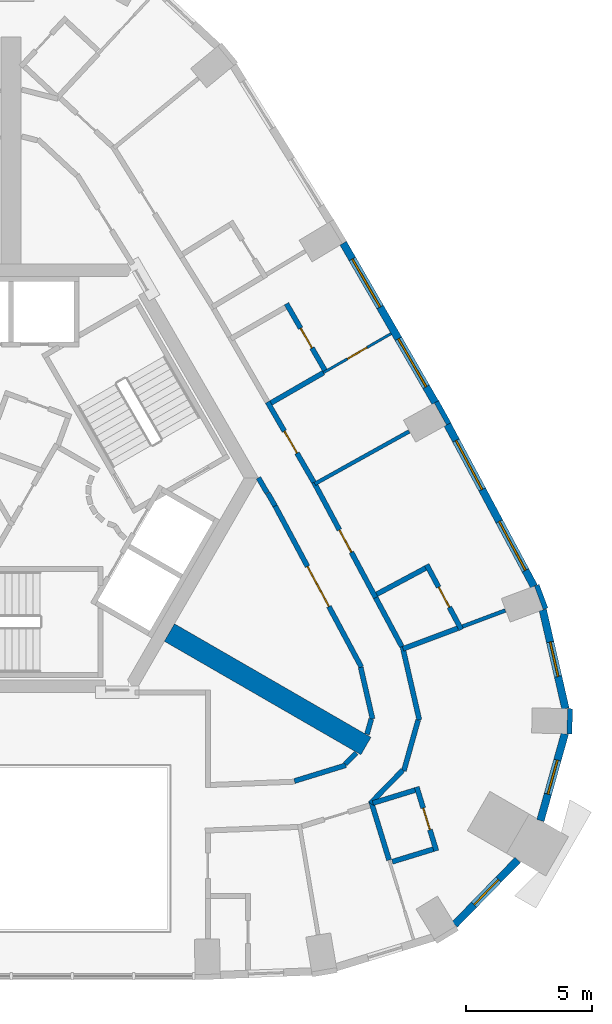
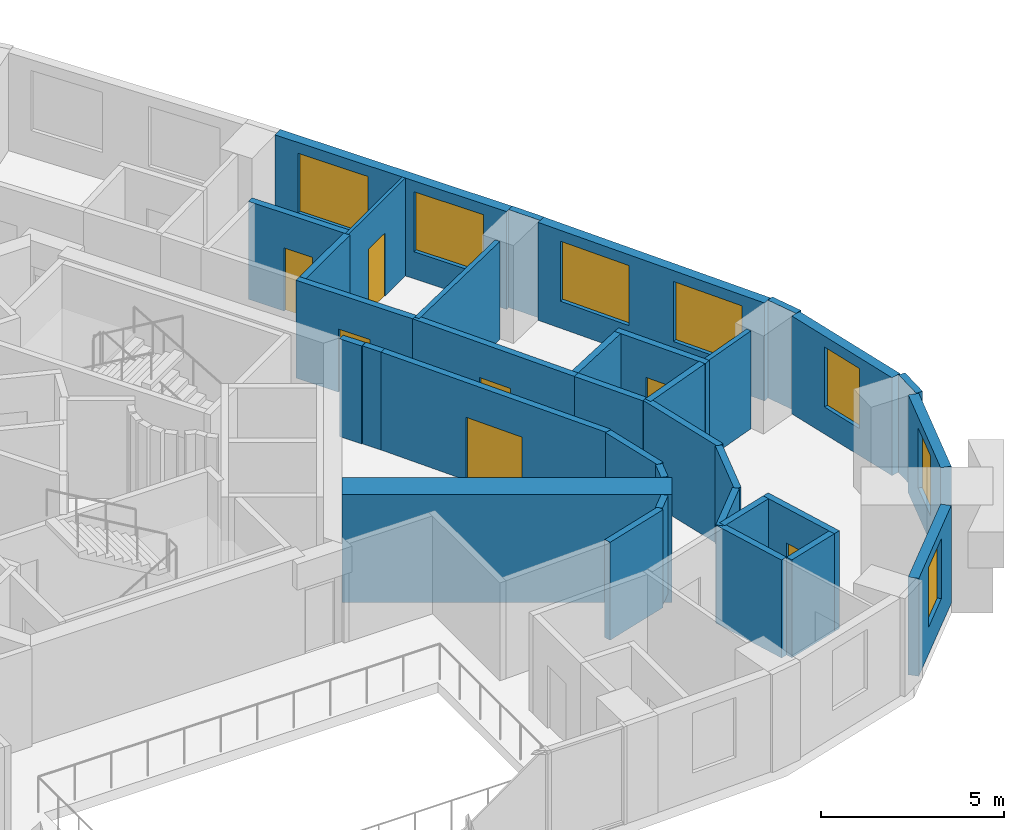
# One storey, part 6 of 10: 34 walls, 7 doors, 7 windows, 14 openings.
"""IFC4 building model written with IfcOpenShell, lengths in metres."""

from ifc_helpers import new_model, si_unit, direction, frame, frame_2d, origin, place, context, subcontext, project, spatial, rectangle, extrude, material, layer, layer_set, type_object, element, fill, save


model = new_model("IFC4")

# Units and contexts
model_context = context("Model", 3, precision=1e-05, world=origin(), true_north=direction((0.0, 1.0)))
body_context = subcontext(model_context, "Body", "Model", "MODEL_VIEW")
ifc_project = project(units=[si_unit("LENGTHUNIT", "METRE"), si_unit("AREAUNIT", "SQUARE_METRE"), si_unit("VOLUMEUNIT", "CUBIC_METRE"), si_unit("PLANEANGLEUNIT", "RADIAN"), si_unit("MASSUNIT", "GRAM", prefix="KILO")], contexts=[model_context])

# Site, building, storey
site_placement = place(None, origin())
site = spatial("IfcSite", under=ifc_project, at=site_placement, CompositionType="ELEMENT")
building_placement = place(site_placement, origin())
building = spatial("IfcBuilding", under=site, at=building_placement, Name="Entoto Arch Interchange Tower", CompositionType="ELEMENT")
storey_placement = place(building_placement, frame((0.0, 0.0, 293.60009765625)))
storey = spatial("IfcBuildingStorey", under=building, at=storey_placement, Name="L68", CompositionType="ELEMENT", Elevation=293.60009765625)

# Wall
ifc_material_1 = material(Name="Concrete C40/50", Category="concrete")
ifc_layer_1 = layer(ifc_material_1, 0.800048828125)
ifc_layer_set_1 = layer_set([ifc_layer_1], Name="Concrete C40/50")
wall_type_1 = type_object("IfcWallType", Name="Buttress wall 800 C40/50", PredefinedType="SHEAR", material=ifc_layer_set_1)
wall_1_placement = place(storey_placement, frame((6.279052734375, -3.625, -0.340087890625), z_axis=(0.0, 0.0, 1.0), x_axis=(0.866017533419, -0.500013631625, 0.0)))
element("IfcWall", 1, at=wall_1_placement, inside=storey, type_object=wall_type_1, Name="Buttress wall SE L68", PredefinedType="SHEAR", context=body_context, shape_type="SweptSolid", body=[
    extrude(rectangle(XDim=8.999755859375, YDim=0.800048828125, at=frame_2d((4.5, 0.0))), origin(), (0.0, 0.0, 1.0), 3.60009765625),
])

# Wall, opening, door
ifc_material_2 = material(Name="Gypsum board partition on steel studs", Category="steel")
ifc_layer_2 = layer(ifc_material_2, 0.10009765625)
ifc_layer_set_2 = layer_set([ifc_layer_2], Name="Gypsum board partition on steel studs")
wall_type_2 = type_object("IfcWallType", Name="PARTITION 100", PredefinedType="PARTITIONING", material=ifc_layer_set_2)
wall_2_placement = place(storey_placement, frame((12.385009765625, 6.681884765625, 0.0), z_axis=(0.0, 0.0, 1.0), x_axis=(0.865970446821, 0.500095176175, 0.0)))
wall_2 = element("IfcWall", 2, at=wall_2_placement, inside=storey, type_object=wall_type_2, Name="wall:L68:p098", PredefinedType="PARTITIONING", context=body_context, shape_type="SweptSolid", body=[
    extrude(rectangle(XDim=3.099609375, YDim=0.10009765625, at=frame_2d((1.5498046875, 0.0))), origin(), (0.0, 0.0, 1.0), 3.260009765625),
])
opening_1_placement = place(wall_2_placement, frame((1.10009765625, 0.0, 0.0)))
opening_1 = element("IfcOpeningElement", 3, at=opening_1_placement, cuts=wall_2, Name="Opening L68-D09", PredefinedType="OPENING", context=body_context, shape_type="SweptSolid", body=[
    extrude(rectangle(XDim=0.89990234375, YDim=2.10009765625, at=frame_2d((0.449951171875, 1.050048828125))), frame((0.0, 0.06005859375, 0.0), z_axis=(0.0, -1.0, 0.0), x_axis=(1.0, 0.0, 0.0)), (0.0, 0.0, 1.0), 0.1201171875),
])
ifc_material_3 = material(Name="Timber door leaf in Steel S235 frame", Category="steel")
door_type_1 = type_object("IfcDoorType", Name="DOOR DS-09 900x2100", OperationType="SINGLE_SWING_LEFT", PredefinedType="DOOR", material=ifc_material_3)
door_1_placement = place(opening_1_placement, origin())
door_1 = element("IfcDoor", 4, at=door_1_placement, inside=storey, type_object=door_type_1, Name="door:L68:09", OperationType="SINGLE_SWING_RIGHT", OverallHeight=2.10009765625, OverallWidth=0.89990234375, PredefinedType="DOOR", context=body_context, shape_type="SweptSolid", body=[
    extrude(rectangle(XDim=0.89990234375, YDim=2.10009765625, at=frame_2d((0.449951171875, 1.050048828125))), frame((0.0, 0.02490234375, 0.0), z_axis=(0.0, -1.0, 0.0), x_axis=(1.0, 0.0, 0.0)), (0.0, 0.0, 1.0), 0.050048828125),
])
fill(opening_1, door_1)

# Walls
ifc_layer_3 = layer(ifc_material_2, 0.14990234375)
ifc_layer_set_3 = layer_set([ifc_layer_3], Name="Gypsum board partition on steel studs")
wall_type_3 = type_object("IfcWallType", Name="PARTITION 150", PredefinedType="PARTITIONING", material=ifc_layer_set_3)
wall_3_placement = place(storey_placement, frame((17.904052734375, -3.385009765625, 0.0), z_axis=(0.0, 0.0, 1.0), x_axis=(0.936401128709, 0.350931512054, 0.0)))
element("IfcWall", 5, at=wall_3_placement, inside=storey, type_object=wall_type_3, Name="wall:L68:p093", PredefinedType="PARTITIONING", context=body_context, shape_type="SweptSolid", body=[
    extrude(rectangle(XDim=1.812255859375, YDim=0.14990234375, at=frame_2d((0.90625, 0.0))), origin(), (0.0, 0.0, 1.0), 3.260009765625),
])
wall_4_placement = place(storey_placement, frame((12.044921875, 2.27197265625, 0.0), z_axis=(0.0, 0.0, 1.0), x_axis=(0.873982340973, 0.485957680943, 0.0)))
element("IfcWall", 6, at=wall_4_placement, inside=storey, type_object=wall_type_3, Name="wall:L68:p097", PredefinedType="PARTITIONING", context=body_context, shape_type="SweptSolid", body=[
    extrude(rectangle(XDim=4.2802734375, YDim=0.14990234375, at=frame_2d((2.14013671875, 0.0))), origin(), (0.0, 0.0, 1.0), 3.260009765625),
])
ifc_layer_4 = layer(ifc_material_2, 0.199951171875)
ifc_layer_set_4 = layer_set([ifc_layer_4], Name="Gypsum board partition on steel studs")
wall_type_4 = type_object("IfcWallType", Name="PARTITION 200", PredefinedType="PARTITIONING", material=ifc_layer_set_4)
wall_5_placement = place(storey_placement, frame((11.239013671875, -9.513916015625, 0.0), z_axis=(0.0, 0.0, 1.0), x_axis=(0.955838469047, 0.293892533234, 0.0)))
element("IfcWall", 7, at=wall_5_placement, inside=storey, type_object=wall_type_4, Name="wall:L68:p014", PredefinedType="PARTITIONING", context=body_context, shape_type="SweptSolid", body=[
    extrude(rectangle(XDim=2.1298828125, YDim=0.199951171875, at=frame_2d((1.06494140625, 0.0))), origin(), (0.0, 0.0, 1.0), 3.260009765625),
])
wall_6_placement = place(storey_placement, frame((13.25, -8.845947265625, 0.0), z_axis=(0.0, 0.0, 1.0), x_axis=(0.698333537371, 0.715772499181, 0.0)))
element("IfcWall", 8, at=wall_6_placement, inside=storey, type_object=wall_type_4, Name="wall:L68:p015", PredefinedType="PARTITIONING", context=body_context, shape_type="SweptSolid", body=[
    extrude(rectangle(XDim=0.6298828125, YDim=0.199951171875, at=frame_2d((0.31494140625, 0.0))), origin(), (0.0, 0.0, 1.0), 3.260009765625),
])
wall_7_placement = place(storey_placement, frame((14.114990234375, -7.658935546875, 0.0), z_axis=(0.0, 0.0, 1.0), x_axis=(0.270633612894, 0.96268242301, 0.0)))
element("IfcWall", 9, at=wall_7_placement, inside=storey, type_object=wall_type_4, Name="wall:L68:p016", PredefinedType="PARTITIONING", context=body_context, shape_type="SweptSolid", body=[
    extrude(rectangle(XDim=0.631591796875, YDim=0.199951171875, at=frame_2d((0.31591796875, 0.0))), origin(), (0.0, 0.0, 1.0), 3.260009765625),
])
wall_8_placement = place(storey_placement, frame((14.3349609375, -7.052001953125, 0.0), z_axis=(0.0, 0.0, 1.0), x_axis=(-0.22355315143, 0.974691740237, 0.0)))
element("IfcWall", 10, at=wall_8_placement, inside=storey, type_object=wall_type_4, Name="wall:L68:p017", PredefinedType="PARTITIONING", context=body_context, shape_type="SweptSolid", body=[
    extrude(rectangle(XDim=2.102294921875, YDim=0.199951171875, at=frame_2d((1.05126953125, 0.0))), origin(), (0.0, 0.0, 1.0), 3.260009765625),
])

# Wall, opening, door
wall_9_placement = place(storey_placement, frame((13.889892578125, -4.993896484375, 0.0), z_axis=(0.0, 0.0, 1.0), x_axis=(-0.471713767504, 0.881751734644, 0.0)))
wall_9 = element("IfcWall", 11, at=wall_9_placement, inside=storey, type_object=wall_type_4, Name="wall:L68:p018", PredefinedType="PARTITIONING", context=body_context, shape_type="SweptSolid", body=[
    extrude(rectangle(XDim=7.247802734375, YDim=0.199951171875, at=frame_2d((3.6240234375, 0.0))), origin(), (0.0, 0.0, 1.0), 3.260009765625),
])
opening_2_placement = place(wall_9_placement, frame((2.72412109375, 0.0, 0.0)))
opening_2 = element("IfcOpeningElement", 12, at=opening_2_placement, cuts=wall_9, Name="Opening L68-D28", PredefinedType="OPENING", context=body_context, shape_type="SweptSolid", body=[
    extrude(rectangle(XDim=1.800048828125, YDim=2.10009765625, at=frame_2d((0.89990234375, 1.050048828125))), frame((0.0, 0.10986328125, 0.0), z_axis=(0.0, -1.0, 0.0), x_axis=(1.0, 0.0, 0.0)), (0.0, 0.0, 1.0), 0.219970703125),
])
door_type_2 = type_object("IfcDoorType", Name="DOOR DD-18 1800x2100", OperationType="DOUBLE_DOOR_SINGLE_SWING", PredefinedType="DOOR", material=ifc_material_3)
door_2_placement = place(opening_2_placement, origin())
door_2 = element("IfcDoor", 13, at=door_2_placement, inside=storey, type_object=door_type_2, Name="door:L68:28", OperationType="DOUBLE_DOOR_SINGLE_SWING", OverallHeight=2.10009765625, OverallWidth=1.800048828125, PredefinedType="DOOR", context=body_context, shape_type="SweptSolid", body=[
    extrude(rectangle(XDim=1.800048828125, YDim=2.10009765625, at=frame_2d((0.89990234375, 1.050048828125))), frame((0.0, 0.02490234375, 0.0), z_axis=(0.0, -1.0, 0.0), x_axis=(1.0, 0.0, 0.0)), (0.0, 0.0, 1.0), 0.050048828125),
])
fill(opening_2, door_2)

# Walls
wall_10_placement = place(storey_placement, frame((10.470947265625, 1.39697265625, 0.0), z_axis=(0.0, 0.0, 1.0), x_axis=(-0.500069990121, 0.865984991198, 0.0)))
element("IfcWall", 14, at=wall_10_placement, inside=storey, type_object=wall_type_4, Name="wall:L68:p019", PredefinedType="PARTITIONING", context=body_context, shape_type="SweptSolid", body=[
    extrude(rectangle(XDim=0.587890625, YDim=0.199951171875, at=frame_2d((0.2939453125, 0.0))), origin(), (0.0, 0.0, 1.0), 3.260009765625),
])
wall_11_placement = place(storey_placement, frame((10.156982421875, 1.912109375, 0.0), z_axis=(0.0, 0.0, 1.0), x_axis=(-0.500482383858, 0.865746720148, 0.0)))
element("IfcWall", 15, at=wall_11_placement, inside=storey, type_object=wall_type_4, Name="wall:L68:p020", PredefinedType="PARTITIONING", context=body_context, shape_type="SweptSolid", body=[
    extrude(rectangle(XDim=0.695068359375, YDim=0.199951171875, at=frame_2d((0.34765625, 0.0))), origin(), (0.0, 0.0, 1.0), 3.260009765625),
])
wall_12_placement = place(storey_placement, frame((15.52099609375, -4.1708984375, 0.0), z_axis=(0.0, 0.0, 1.0), x_axis=(0.223416387785, -0.974723097946, 0.0)))
element("IfcWall", 16, at=wall_12_placement, inside=storey, type_object=wall_type_4, Name="wall:L68:p032", PredefinedType="PARTITIONING", context=body_context, shape_type="SweptSolid", body=[
    extrude(rectangle(XDim=3.0029296875, YDim=0.199951171875, at=frame_2d((1.50146484375, 0.0))), origin(), (0.0, 0.0, 1.0), 3.260009765625),
])
wall_13_placement = place(storey_placement, frame((16.14306640625, -7.095947265625, 0.0), z_axis=(0.0, 0.0, 1.0), x_axis=(-0.270688011946, -0.962667128445, 0.0)))
element("IfcWall", 17, at=wall_13_placement, inside=storey, type_object=wall_type_4, Name="wall:L68:p033", PredefinedType="PARTITIONING", context=body_context, shape_type="SweptSolid", body=[
    extrude(rectangle(XDim=2.087890625, YDim=0.199951171875, at=frame_2d((1.0439453125, 0.0))), origin(), (0.0, 0.0, 1.0), 3.260009765625),
])
wall_14_placement = place(storey_placement, frame((15.534912109375, -9.0810546875, 0.0), z_axis=(0.0, 0.0, 1.0), x_axis=(-0.698342132704, -0.715764113162, 0.0)))
element("IfcWall", 18, at=wall_14_placement, inside=storey, type_object=wall_type_4, Name="wall:L68:p034", PredefinedType="PARTITIONING", context=body_context, shape_type="SweptSolid", body=[
    extrude(rectangle(XDim=1.835693359375, YDim=0.199951171875, at=frame_2d((0.91796875, 0.0))), origin(), (0.0, 0.0, 1.0), 3.260009765625),
])

# Wall, opening, door
wall_15_placement = place(storey_placement, frame((12.009033203125, 2.337890625, 0.0), z_axis=(0.0, 0.0, 1.0), x_axis=(0.471771260231, -0.88172097515, 0.0)))
wall_15 = element("IfcWall", 19, at=wall_15_placement, inside=storey, type_object=wall_type_4, Name="wall:L68:p035", PredefinedType="PARTITIONING", context=body_context, shape_type="SweptSolid", body=[
    extrude(rectangle(XDim=5.193115234375, YDim=0.199951171875, at=frame_2d((2.5966796875, 0.0))), origin(), (0.0, 0.0, 1.0), 3.260009765625),
])
opening_3_placement = place(wall_15_placement, frame((2.14599609375, 0.0, 0.0)))
opening_3 = element("IfcOpeningElement", 20, at=opening_3_placement, cuts=wall_15, Name="Opening L68-D06", PredefinedType="OPENING", context=body_context, shape_type="SweptSolid", body=[
    extrude(rectangle(XDim=1.0, YDim=2.10009765625, at=frame_2d((0.5, 1.050048828125))), frame((0.0, 0.10986328125, 0.0), z_axis=(0.0, -1.0, 0.0), x_axis=(1.0, 0.0, 0.0)), (0.0, 0.0, 1.0), 0.219970703125),
])
ifc_material_4 = material(Name="Fire-rated Steel S235 door and frame", Category="steel")
door_type_3 = type_object("IfcDoorType", Name="DOOR FD-10 1000x2100", OperationType="SINGLE_SWING_LEFT", PredefinedType="DOOR", material=ifc_material_4)
door_3_placement = place(opening_3_placement, origin())
door_3 = element("IfcDoor", 21, at=door_3_placement, inside=storey, type_object=door_type_3, Name="door:L68:06", OperationType="SINGLE_SWING_LEFT", OverallHeight=2.10009765625, OverallWidth=1.0, PredefinedType="DOOR", context=body_context, shape_type="SweptSolid", body=[
    extrude(rectangle(XDim=1.0, YDim=2.10009765625, at=frame_2d((0.5, 1.050048828125))), frame((0.0, 0.02490234375, 0.0), z_axis=(0.0, -1.0, 0.0), x_axis=(1.0, 0.0, 0.0)), (0.0, 0.0, 1.0), 0.050048828125),
])
fill(opening_3, door_3)

# Wall
wall_16_placement = place(storey_placement, frame((14.458984375, -2.240966796875, 0.0), z_axis=(0.0, 0.0, 1.0), x_axis=(0.471648235011, -0.881786789656, 0.0)))
element("IfcWall", 22, at=wall_16_placement, inside=storey, type_object=wall_type_4, Name="wall:L68:p036", PredefinedType="PARTITIONING", context=body_context, shape_type="SweptSolid", body=[
    extrude(rectangle(XDim=2.198974609375, YDim=0.199951171875, at=frame_2d((1.099609375, 0.0))), origin(), (0.0, 0.0, 1.0), 3.260009765625),
])

# Wall, opening, door
wall_17_placement = place(storey_placement, frame((10.169921875, 5.51904296875, 0.0), z_axis=(0.0, 0.0, 1.0), x_axis=(0.499990860175, -0.866030680601, 0.0)))
wall_17 = element("IfcWall", 23, at=wall_17_placement, inside=storey, type_object=wall_type_4, Name="wall:L68:p037", PredefinedType="PARTITIONING", context=body_context, shape_type="SweptSolid", body=[
    extrude(rectangle(XDim=3.67431640625, YDim=0.199951171875, at=frame_2d((1.837158203125, 0.0))), origin(), (0.0, 0.0, 1.0), 3.260009765625),
])
opening_4_placement = place(wall_17_placement, frame((1.3369140625, 0.0, 0.0)))
opening_4 = element("IfcOpeningElement", 24, at=opening_4_placement, cuts=wall_17, Name="Opening L68-D08", PredefinedType="OPENING", context=body_context, shape_type="SweptSolid", body=[
    extrude(rectangle(XDim=1.0, YDim=2.10009765625, at=frame_2d((0.5, 1.050048828125))), frame((0.0, 0.10986328125, 0.0), z_axis=(0.0, -1.0, 0.0), x_axis=(1.0, 0.0, 0.0)), (0.0, 0.0, 1.0), 0.219970703125),
])
door_4_placement = place(opening_4_placement, origin())
door_4 = element("IfcDoor", 25, at=door_4_placement, inside=storey, type_object=door_type_3, Name="door:L68:08", OperationType="SINGLE_SWING_LEFT", OverallHeight=2.10009765625, OverallWidth=1.0, PredefinedType="DOOR", context=body_context, shape_type="SweptSolid", body=[
    extrude(rectangle(XDim=1.0, YDim=2.10009765625, at=frame_2d((0.5, 1.050048828125))), frame((0.0, 0.02490234375, 0.0), z_axis=(0.0, -1.0, 0.0), x_axis=(1.0, 0.0, 0.0)), (0.0, 0.0, 1.0), 0.050048828125),
])
fill(opening_4, door_4)

# Walls
wall_18_placement = place(storey_placement, frame((14.27197265625, -10.30810546875, 0.0), z_axis=(0.0, 0.0, 1.0), x_axis=(0.293868765171, -0.955845776711, 0.0)))
element("IfcWall", 26, at=wall_18_placement, inside=storey, type_object=wall_type_4, Name="wall:L68:p089", PredefinedType="PARTITIONING", context=body_context, shape_type="SweptSolid", body=[
    extrude(rectangle(XDim=2.449951171875, YDim=0.199951171875, at=frame_2d((1.22509765625, 0.0))), origin(), (0.0, 0.0, 1.0), 3.260009765625),
])
wall_19_placement = place(storey_placement, frame((15.116943359375, -12.716064453125, 0.0), z_axis=(0.0, 0.0, 1.0), x_axis=(0.955940341053, 0.293561006177, 0.0)))
element("IfcWall", 27, at=wall_19_placement, inside=storey, type_object=wall_type_4, Name="wall:L68:p090", PredefinedType="PARTITIONING", context=body_context, shape_type="SweptSolid", body=[
    extrude(rectangle(XDim=1.699951171875, YDim=0.199951171875, at=frame_2d((0.85009765625, 0.0))), origin(), (0.0, 0.0, 1.0), 3.260009765625),
])

# Wall, opening, door
wall_20_placement = place(storey_placement, frame((16.866943359375, -12.282958984375, 0.0), z_axis=(0.0, 0.0, 1.0), x_axis=(-0.29397579302, 0.955812865114, 0.0)))
wall_20 = element("IfcWall", 28, at=wall_20_placement, inside=storey, type_object=wall_type_4, Name="wall:L68:p091", PredefinedType="PARTITIONING", context=body_context, shape_type="SweptSolid", body=[
    extrude(rectangle(XDim=2.650146484375, YDim=0.199951171875, at=frame_2d((1.3251953125, 0.0))), origin(), (0.0, 0.0, 1.0), 3.260009765625),
])
opening_5_placement = place(wall_20_placement, frame((0.875, 0.0, 0.0)))
opening_5 = element("IfcOpeningElement", 29, at=opening_5_placement, cuts=wall_20, Name="Opening L68-D05", PredefinedType="OPENING", context=body_context, shape_type="SweptSolid", body=[
    extrude(rectangle(XDim=0.89990234375, YDim=2.10009765625, at=frame_2d((0.449951171875, 1.050048828125))), frame((0.0, 0.10986328125, 0.0), z_axis=(0.0, -1.0, 0.0), x_axis=(1.0, 0.0, 0.0)), (0.0, 0.0, 1.0), 0.219970703125),
])
door_5_placement = place(opening_5_placement, origin())
door_5 = element("IfcDoor", 30, at=door_5_placement, inside=storey, type_object=door_type_1, Name="door:L68:05", OperationType="SINGLE_SWING_LEFT", OverallHeight=2.10009765625, OverallWidth=0.89990234375, PredefinedType="DOOR", context=body_context, shape_type="SweptSolid", body=[
    extrude(rectangle(XDim=0.89990234375, YDim=2.10009765625, at=frame_2d((0.449951171875, 1.050048828125))), frame((0.0, 0.02490234375, 0.0), z_axis=(0.0, -1.0, 0.0), x_axis=(1.0, 0.0, 0.0)), (0.0, 0.0, 1.0), 0.050048828125),
])
fill(opening_5, door_5)

# Walls
wall_21_placement = place(storey_placement, frame((16.02197265625, -9.875, 0.0), z_axis=(0.0, 0.0, 1.0), x_axis=(-0.955908620472, -0.293664279932, 0.0)))
element("IfcWall", 31, at=wall_21_placement, inside=storey, type_object=wall_type_4, Name="wall:L68:p092", PredefinedType="PARTITIONING", context=body_context, shape_type="SweptSolid", body=[
    extrude(rectangle(XDim=1.75, YDim=0.199951171875, at=frame_2d((0.875, 0.0))), origin(), (0.0, 0.0, 1.0), 3.260009765625),
])
wall_22_placement = place(storey_placement, frame((15.5439453125, -4.26904296875, 0.0), z_axis=(0.0, 0.0, 1.0), x_axis=(0.936463142424, 0.350765994477, 0.0)))
element("IfcWall", 32, at=wall_22_placement, inside=storey, type_object=wall_type_4, Name="wall:L68:p094", PredefinedType="PARTITIONING", context=body_context, shape_type="SweptSolid", body=[
    extrude(rectangle(XDim=2.320556640625, YDim=0.199951171875, at=frame_2d((1.16015625, 0.0))), origin(), (0.0, 0.0, 1.0), 3.260009765625),
])

# Wall, opening, door
wall_23_placement = place(storey_placement, frame((17.85693359375, -3.508056640625, 0.0), z_axis=(0.0, 0.0, 1.0), x_axis=(-0.47112614664, 0.882065844454, 0.0)))
wall_23 = element("IfcWall", 33, at=wall_23_placement, inside=storey, type_object=wall_type_4, Name="wall:L68:p095", PredefinedType="PARTITIONING", context=body_context, shape_type="SweptSolid", body=[
    extrude(rectangle(XDim=2.920654296875, YDim=0.199951171875, at=frame_2d((1.46044921875, 0.0))), origin(), (0.0, 0.0, 1.0), 3.260009765625),
])
opening_6_placement = place(wall_23_placement, frame((1.010009765625, 0.0, 0.0)))
opening_6 = element("IfcOpeningElement", 34, at=opening_6_placement, cuts=wall_23, Name="Opening L68-D07", PredefinedType="OPENING", context=body_context, shape_type="SweptSolid", body=[
    extrude(rectangle(XDim=0.89990234375, YDim=2.10009765625, at=frame_2d((0.449951171875, 1.050048828125))), frame((0.0, 0.10986328125, 0.0), z_axis=(0.0, -1.0, 0.0), x_axis=(1.0, 0.0, 0.0)), (0.0, 0.0, 1.0), 0.219970703125),
])
door_6_placement = place(opening_6_placement, origin())
door_6 = element("IfcDoor", 35, at=door_6_placement, inside=storey, type_object=door_type_1, Name="door:L68:07", OperationType="SINGLE_SWING_RIGHT", OverallHeight=2.10009765625, OverallWidth=0.89990234375, PredefinedType="DOOR", context=body_context, shape_type="SweptSolid", body=[
    extrude(rectangle(XDim=0.89990234375, YDim=2.10009765625, at=frame_2d((0.449951171875, 1.050048828125))), frame((0.0, 0.02490234375, 0.0), z_axis=(0.0, -1.0, 0.0), x_axis=(1.0, 0.0, 0.0)), (0.0, 0.0, 1.0), 0.050048828125),
])
fill(opening_6, door_6)

# Walls
wall_24_placement = place(storey_placement, frame((16.43994140625, -1.06689453125, 0.0), z_axis=(0.0, 0.0, 1.0), x_axis=(-0.881700916894, -0.471808746367, 0.0)))
element("IfcWall", 36, at=wall_24_placement, inside=storey, type_object=wall_type_4, Name="wall:L68:p096", PredefinedType="PARTITIONING", context=body_context, shape_type="SweptSolid", body=[
    extrude(rectangle(XDim=2.2001953125, YDim=0.199951171875, at=frame_2d((1.10009765625, 0.0))), origin(), (0.0, 0.0, 1.0), 3.260009765625),
])
wall_25_placement = place(storey_placement, frame((10.305908203125, 5.48193359375, 0.0), z_axis=(0.0, 0.0, 1.0), x_axis=(0.866100915363, 0.499869187296, 0.0)))
element("IfcWall", 37, at=wall_25_placement, inside=storey, type_object=wall_type_4, Name="wall:L68:p099", PredefinedType="PARTITIONING", context=body_context, shape_type="SweptSolid", body=[
    extrude(rectangle(XDim=2.400634765625, YDim=0.199951171875, at=frame_2d((1.2001953125, 0.0))), origin(), (0.0, 0.0, 1.0), 3.260009765625),
])

# Wall, opening, door
wall_26_placement = place(storey_placement, frame((12.49609375, 6.68896484375, 0.0), z_axis=(0.0, 0.0, 1.0), x_axis=(-0.500039995618, 0.866002311072, 0.0)))
wall_26 = element("IfcWall", 38, at=wall_26_placement, inside=storey, type_object=wall_type_4, Name="wall:L68:p100", PredefinedType="PARTITIONING", context=body_context, shape_type="SweptSolid", body=[
    extrude(rectangle(XDim=3.150146484375, YDim=0.199951171875, at=frame_2d((1.5751953125, 0.0))), origin(), (0.0, 0.0, 1.0), 3.260009765625),
])
opening_7_placement = place(wall_26_placement, frame((1.125, 0.0, 0.0)))
opening_7 = element("IfcOpeningElement", 39, at=opening_7_placement, cuts=wall_26, Name="Opening L68-D10", PredefinedType="OPENING", context=body_context, shape_type="SweptSolid", body=[
    extrude(rectangle(XDim=0.89990234375, YDim=2.10009765625, at=frame_2d((0.449951171875, 1.050048828125))), frame((0.0, 0.10986328125, 0.0), z_axis=(0.0, -1.0, 0.0), x_axis=(1.0, 0.0, 0.0)), (0.0, 0.0, 1.0), 0.219970703125),
])
door_7_placement = place(opening_7_placement, origin())
door_7 = element("IfcDoor", 40, at=door_7_placement, inside=storey, type_object=door_type_1, Name="door:L68:10", OperationType="SINGLE_SWING_RIGHT", OverallHeight=2.10009765625, OverallWidth=0.89990234375, PredefinedType="DOOR", context=body_context, shape_type="SweptSolid", body=[
    extrude(rectangle(XDim=0.89990234375, YDim=2.10009765625, at=frame_2d((0.449951171875, 1.050048828125))), frame((0.0, 0.02490234375, 0.0), z_axis=(0.0, -1.0, 0.0), x_axis=(1.0, 0.0, 0.0)), (0.0, 0.0, 1.0), 0.050048828125),
])
fill(opening_7, door_7)

# Wall, opening, window
ifc_material_5 = material(Name="Welded tuff (ignimbrite) cladding, warm buff", Category="masonry")
ifc_layer_5 = layer(ifc_material_5, 0.300048828125)
ifc_layer_set_5 = layer_set([ifc_layer_5], Name="Welded tuff (ignimbrite) cladding, warm buff")
wall_type_5 = type_object("IfcWallType", Name="STONE INFILL WALL 300", PredefinedType="STANDARD", material=ifc_layer_set_5)
wall_27_placement = place(storey_placement, frame((17.597900390625, -15.199951171875, 0.0), z_axis=(0.0, 0.0, 1.0), x_axis=(0.698555868355, 0.715555517614, 0.0)))
wall_27 = element("IfcWall", 41, at=wall_27_placement, inside=storey, type_object=wall_type_5, Name="Facade wall SE-02 L68", PredefinedType="STANDARD", context=body_context, shape_type="SweptSolid", body=[
    extrude(rectangle(XDim=3.575927734375, YDim=0.300048828125, at=frame_2d((1.7880859375, 0.0))), origin(), (0.0, 0.0, 1.0), 3.260009765625),
])
opening_8_placement = place(wall_27_placement, frame((1.087890625, 0.0, 0.89990234375)))
opening_8 = element("IfcOpeningElement", 42, at=opening_8_placement, cuts=wall_27, Name="Opening WH-B", PredefinedType="OPENING", context=body_context, shape_type="SweptSolid", body=[
    extrude(rectangle(XDim=1.39990234375, YDim=2.0, at=frame_2d((0.699951171875, 1.0))), frame((0.0, 0.16015625, 0.0), z_axis=(0.0, -1.0, 0.0), x_axis=(1.0, 0.0, 0.0)), (0.0, 0.0, 1.0), 0.320068359375),
])
ifc_material_6 = material(Name="Clear glass, low-e double glazed", Category="glass")
window_type_1 = type_object("IfcWindowType", Name="WINDOW WH-B 1400x2000", PartitioningType="DOUBLE_PANEL_VERTICAL", PredefinedType="WINDOW", material=ifc_material_6)
window_1_placement = place(opening_8_placement, origin())
window_1 = element("IfcWindow", 43, at=window_1_placement, inside=storey, type_object=window_type_1, Name="Window WH-B SE-02 L68", OverallHeight=2.0, OverallWidth=1.39990234375, PartitioningType="SINGLE_PANEL", PredefinedType="WINDOW", context=body_context, shape_type="SweptSolid", body=[
    extrude(rectangle(XDim=1.39990234375, YDim=2.0, at=frame_2d((0.699951171875, 1.0))), frame((0.0, 0.030029296875, 0.0), z_axis=(0.0, -1.0, 0.0), x_axis=(1.0, 0.0, 0.0)), (0.0, 0.0, 1.0), 0.06005859375),
])
fill(opening_8, window_1)

wall_28_placement = place(storey_placement, frame((20.9951171875, -11.0830078125, 0.0), z_axis=(0.0, 0.0, 1.0), x_axis=(0.270589405397, 0.962694849725, 0.0)))
wall_28 = element("IfcWall", 44, at=wall_28_placement, inside=storey, type_object=wall_type_5, Name="Facade wall SE-03 L68", PredefinedType="STANDARD", context=body_context, shape_type="SweptSolid", body=[
    extrude(rectangle(XDim=3.57666015625, YDim=0.300048828125, at=frame_2d((1.788330078125, 0.0))), origin(), (0.0, 0.0, 1.0), 3.260009765625),
])
opening_9_placement = place(wall_28_placement, frame((1.087890625, 0.0, 0.89990234375)))
opening_9 = element("IfcOpeningElement", 45, at=opening_9_placement, cuts=wall_28, Name="Opening WH-B", PredefinedType="OPENING", context=body_context, shape_type="SweptSolid", body=[
    extrude(rectangle(XDim=1.39990234375, YDim=2.0, at=frame_2d((0.699951171875, 1.0))), frame((0.0, 0.16015625, 0.0), z_axis=(0.0, -1.0, 0.0), x_axis=(1.0, 0.0, 0.0)), (0.0, 0.0, 1.0), 0.320068359375),
])
window_2_placement = place(opening_9_placement, origin())
window_2 = element("IfcWindow", 46, at=window_2_placement, inside=storey, type_object=window_type_1, Name="Window WH-B SE-03 L68", OverallHeight=2.0, OverallWidth=1.39990234375, PartitioningType="SINGLE_PANEL", PredefinedType="WINDOW", context=body_context, shape_type="SweptSolid", body=[
    extrude(rectangle(XDim=1.39990234375, YDim=2.0, at=frame_2d((0.699951171875, 1.0))), frame((0.0, 0.030029296875, 0.0), z_axis=(0.0, -1.0, 0.0), x_axis=(1.0, 0.0, 0.0)), (0.0, 0.0, 1.0), 0.06005859375),
])
fill(opening_9, window_2)

wall_29_placement = place(storey_placement, frame((21.987060546875, -6.64208984375, 0.0), z_axis=(0.0, 0.0, 1.0), x_axis=(-0.223448307338, 0.974715781112, 0.0)))
wall_29 = element("IfcWall", 47, at=wall_29_placement, inside=storey, type_object=wall_type_5, Name="Facade wall SE-04 L68", PredefinedType="STANDARD", context=body_context, shape_type="SweptSolid", body=[
    extrude(rectangle(XDim=4.0185546875, YDim=0.300048828125, at=frame_2d((2.00927734375, 0.0))), origin(), (0.0, 0.0, 1.0), 3.260009765625),
])
opening_10_placement = place(wall_29_placement, frame((1.30908203125, 0.0, 0.89990234375)))
opening_10 = element("IfcOpeningElement", 48, at=opening_10_placement, cuts=wall_29, Name="Opening WH-B", PredefinedType="OPENING", context=body_context, shape_type="SweptSolid", body=[
    extrude(rectangle(XDim=1.39990234375, YDim=2.0, at=frame_2d((0.699951171875, 1.0))), frame((0.0, 0.16015625, 0.0), z_axis=(0.0, -1.0, 0.0), x_axis=(1.0, 0.0, 0.0)), (0.0, 0.0, 1.0), 0.320068359375),
])
window_3_placement = place(opening_10_placement, origin())
window_3 = element("IfcWindow", 49, at=window_3_placement, inside=storey, type_object=window_type_1, Name="Window WH-B SE-04 L68", OverallHeight=2.0, OverallWidth=1.39990234375, PartitioningType="SINGLE_PANEL", PredefinedType="WINDOW", context=body_context, shape_type="SweptSolid", body=[
    extrude(rectangle(XDim=1.39990234375, YDim=2.0, at=frame_2d((0.699951171875, 1.0))), frame((0.0, 0.030029296875, 0.0), z_axis=(0.0, -1.0, 0.0), x_axis=(1.0, 0.0, 0.0)), (0.0, 0.0, 1.0), 0.06005859375),
])
fill(opening_10, window_3)

# Wall, openings, windows
wall_30_placement = place(storey_placement, frame((20.739013671875, -1.7900390625, 0.0), z_axis=(0.0, 0.0, 1.0), x_axis=(-0.471789353675, 0.881711293882, 0.0)))
wall_30 = element("IfcWall", 50, at=wall_30_placement, inside=storey, type_object=wall_type_5, Name="Facade wall NE-01 L68", PredefinedType="STANDARD", context=body_context, shape_type="SweptSolid", body=[
    extrude(rectangle(XDim=7.27685546875, YDim=0.300048828125, at=frame_2d((3.638427734375, 0.0))), origin(), (0.0, 0.0, 1.0), 3.260009765625),
])
opening_11_placement = place(wall_30_placement, frame((0.718994140625, 0.0, 0.89990234375)))
opening_11 = element("IfcOpeningElement", 51, at=opening_11_placement, cuts=wall_30, Name="Opening WH-A", PredefinedType="OPENING", context=body_context, shape_type="SweptSolid", body=[
    extrude(rectangle(XDim=2.199951171875, YDim=2.0, at=frame_2d((1.10009765625, 1.0))), frame((0.0, 0.16015625, 0.0), z_axis=(0.0, -1.0, 0.0), x_axis=(1.0, 0.0, 0.0)), (0.0, 0.0, 1.0), 0.320068359375),
])
opening_12_placement = place(wall_30_placement, frame((4.35791015625, 0.0, 0.89990234375)))
opening_12 = element("IfcOpeningElement", 52, at=opening_12_placement, cuts=wall_30, Name="Opening WH-A", PredefinedType="OPENING", context=body_context, shape_type="SweptSolid", body=[
    extrude(rectangle(XDim=2.199951171875, YDim=2.0, at=frame_2d((1.10009765625, 1.0))), frame((0.0, 0.16015625, 0.0), z_axis=(0.0, -1.0, 0.0), x_axis=(1.0, 0.0, 0.0)), (0.0, 0.0, 1.0), 0.320068359375),
])
window_type_2 = type_object("IfcWindowType", Name="WINDOW WH-A 2200x2000", PartitioningType="DOUBLE_PANEL_VERTICAL", PredefinedType="WINDOW", material=ifc_material_6)
window_4_placement = place(opening_11_placement, origin())
window_4 = element("IfcWindow", 53, at=window_4_placement, inside=storey, type_object=window_type_2, Name="Window WH-A NE-01 L68", OverallHeight=2.0, OverallWidth=2.199951171875, PartitioningType="SINGLE_PANEL", PredefinedType="WINDOW", context=body_context, shape_type="SweptSolid", body=[
    extrude(rectangle(XDim=2.199951171875, YDim=2.0, at=frame_2d((1.10009765625, 1.0))), frame((0.0, 0.030029296875, 0.0), z_axis=(0.0, -1.0, 0.0), x_axis=(1.0, 0.0, 0.0)), (0.0, 0.0, 1.0), 0.06005859375),
])
fill(opening_11, window_4)
window_5_placement = place(opening_12_placement, origin())
window_5 = element("IfcWindow", 54, at=window_5_placement, inside=storey, type_object=window_type_2, Name="Window WH-A NE-01 L68", OverallHeight=2.0, OverallWidth=2.199951171875, PartitioningType="SINGLE_PANEL", PredefinedType="WINDOW", context=body_context, shape_type="SweptSolid", body=[
    extrude(rectangle(XDim=2.199951171875, YDim=2.0, at=frame_2d((1.10009765625, 1.0))), frame((0.0, 0.030029296875, 0.0), z_axis=(0.0, -1.0, 0.0), x_axis=(1.0, 0.0, 0.0)), (0.0, 0.0, 1.0), 0.06005859375),
])
fill(opening_12, window_5)

wall_31_placement = place(storey_placement, frame((16.821044921875, 5.498046875, 0.0), z_axis=(0.0, 0.0, 1.0), x_axis=(-0.499945412946, 0.866056917341, 0.0)))
wall_31 = element("IfcWall", 55, at=wall_31_placement, inside=storey, type_object=wall_type_5, Name="Facade wall NE-02 L68", PredefinedType="STANDARD", context=body_context, shape_type="SweptSolid", body=[
    extrude(rectangle(XDim=7.298583984375, YDim=0.300048828125, at=frame_2d((3.6494140625, 0.0))), origin(), (0.0, 0.0, 1.0), 3.260009765625),
])
opening_13_placement = place(wall_31_placement, frame((0.72509765625, 0.0, 0.89990234375)))
opening_13 = element("IfcOpeningElement", 56, at=opening_13_placement, cuts=wall_31, Name="Opening WH-A", PredefinedType="OPENING", context=body_context, shape_type="SweptSolid", body=[
    extrude(rectangle(XDim=2.199951171875, YDim=2.0, at=frame_2d((1.10009765625, 1.0))), frame((0.0, 0.16015625, 0.0), z_axis=(0.0, -1.0, 0.0), x_axis=(1.0, 0.0, 0.0)), (0.0, 0.0, 1.0), 0.320068359375),
])
opening_14_placement = place(wall_31_placement, frame((4.3740234375, 0.0, 0.89990234375)))
opening_14 = element("IfcOpeningElement", 57, at=opening_14_placement, cuts=wall_31, Name="Opening WH-A", PredefinedType="OPENING", context=body_context, shape_type="SweptSolid", body=[
    extrude(rectangle(XDim=2.199951171875, YDim=2.0, at=frame_2d((1.10009765625, 1.0))), frame((0.0, 0.16015625, 0.0), z_axis=(0.0, -1.0, 0.0), x_axis=(1.0, 0.0, 0.0)), (0.0, 0.0, 1.0), 0.320068359375),
])
window_6_placement = place(opening_13_placement, origin())
window_6 = element("IfcWindow", 58, at=window_6_placement, inside=storey, type_object=window_type_2, Name="Window WH-A NE-02 L68", OverallHeight=2.0, OverallWidth=2.199951171875, PartitioningType="SINGLE_PANEL", PredefinedType="WINDOW", context=body_context, shape_type="SweptSolid", body=[
    extrude(rectangle(XDim=2.199951171875, YDim=2.0, at=frame_2d((1.10009765625, 1.0))), frame((0.0, 0.030029296875, 0.0), z_axis=(0.0, -1.0, 0.0), x_axis=(1.0, 0.0, 0.0)), (0.0, 0.0, 1.0), 0.06005859375),
])
fill(opening_13, window_6)
window_7_placement = place(opening_14_placement, origin())
window_7 = element("IfcWindow", 59, at=window_7_placement, inside=storey, type_object=window_type_2, Name="Window WH-A NE-02 L68", OverallHeight=2.0, OverallWidth=2.199951171875, PartitioningType="SINGLE_PANEL", PredefinedType="WINDOW", context=body_context, shape_type="SweptSolid", body=[
    extrude(rectangle(XDim=2.199951171875, YDim=2.0, at=frame_2d((1.10009765625, 1.0))), frame((0.0, 0.030029296875, 0.0), z_axis=(0.0, -1.0, 0.0), x_axis=(1.0, 0.0, 0.0)), (0.0, 0.0, 1.0), 0.06005859375),
])
fill(opening_14, window_7)

# Walls
ifc_layer_6 = layer(ifc_material_5, 0.199951171875)
ifc_layer_set_6 = layer_set([ifc_layer_6], Name="Welded tuff (ignimbrite) cladding, warm buff")
wall_type_6 = type_object("IfcWallType", Name="STONE PIER CLADDING 200", PredefinedType="STANDARD", material=ifc_layer_set_6)
wall_32_placement = place(storey_placement, frame((21.199951171875, -2.68408203125, 0.0), z_axis=(0.0, 0.0, 1.0), x_axis=(-0.350962844851, 0.936389385637, 0.0)))
element("IfcWall", 60, at=wall_32_placement, inside=storey, type_object=wall_type_6, Name="Stone pier NE01 L68", PredefinedType="STANDARD", context=body_context, shape_type="SweptSolid", body=[
    extrude(rectangle(XDim=0.99951171875, YDim=0.199951171875, at=frame_2d((0.499755859375, 0.0))), origin(), (0.0, 0.0, 1.0), 3.260009765625),
])
wall_33_placement = place(storey_placement, frame((17.35791015625, 4.653076171875, 0.0), z_axis=(0.0, 0.0, 1.0), x_axis=(-0.485850211157, 0.874042088414, 0.0)))
element("IfcWall", 61, at=wall_33_placement, inside=storey, type_object=wall_type_6, Name="Stone pier NE02 L68", PredefinedType="STANDARD", context=body_context, shape_type="SweptSolid", body=[
    extrude(rectangle(XDim=1.0, YDim=0.199951171875, at=frame_2d((0.5, 0.0))), origin(), (0.0, 0.0, 1.0), 3.260009765625),
])
wall_34_placement = place(storey_placement, frame((22.14501953125, -7.64501953125, 0.0), z_axis=(0.0, 0.0, 1.0), x_axis=(0.023942303888, 0.999713341956, 0.0)))
element("IfcWall", 62, at=wall_34_placement, inside=storey, type_object=wall_type_6, Name="Stone pier SE3 L68", PredefinedType="STANDARD", context=body_context, shape_type="SweptSolid", body=[
    extrude(rectangle(XDim=0.999267578125, YDim=0.199951171875, at=frame_2d((0.49951171875, 0.0))), origin(), (0.0, 0.0, 1.0), 3.260009765625),
])

save(model, "model.ifc")
